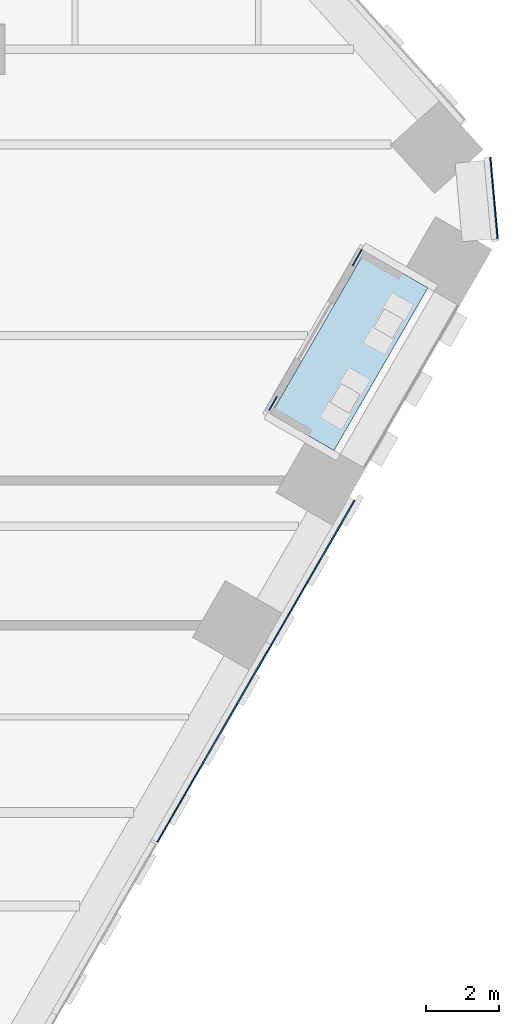
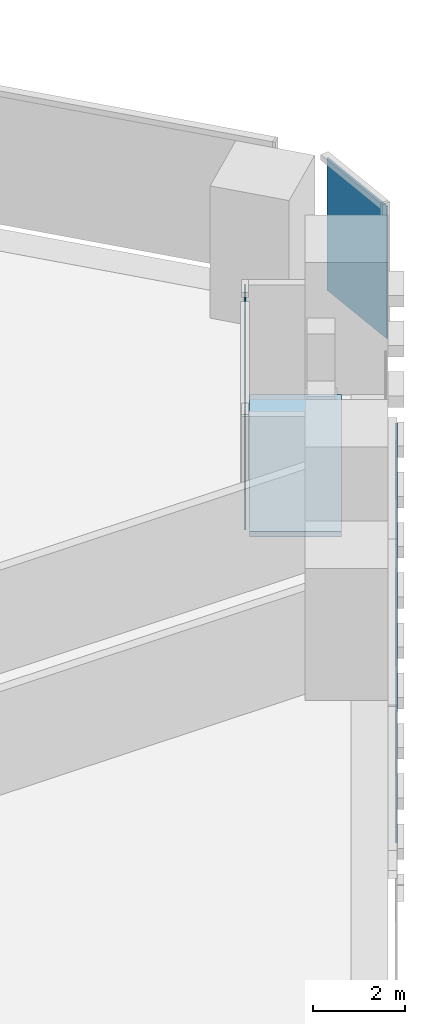
# One storey, part 21 of 31: 5 plates, 1 slab, 3 elements without a shape of their own.
"""IFC4 building model written with IfcOpenShell, lengths in metres."""

from ifc_helpers import new_model, si_unit, direction, frame, origin, origin_2d, place, context, subcontext, project, spatial, polyline, rectangle, outline, extrude, material, layer, layer_set, type_object, element, aggregate, save


model = new_model("IFC4")

# Units and contexts
model_context = context("Model", 3, precision=1e-05, world=origin(), true_north=direction((0.0, 1.0)))
body_context = subcontext(model_context, "Body", "Model", "MODEL_VIEW")
ifc_project = project(units=[si_unit("LENGTHUNIT", "METRE"), si_unit("AREAUNIT", "SQUARE_METRE"), si_unit("VOLUMEUNIT", "CUBIC_METRE"), si_unit("PLANEANGLEUNIT", "RADIAN"), si_unit("MASSUNIT", "GRAM", prefix="KILO")], contexts=[model_context])

# Site, building, storey
site_placement = place(None, origin())
site = spatial("IfcSite", under=ifc_project, at=site_placement, CompositionType="ELEMENT")
building_placement = place(site_placement, origin())
building = spatial("IfcBuilding", under=site, at=building_placement, Name="Isthmus Gate Tower", CompositionType="ELEMENT")
storey_placement = place(building_placement, frame((0.0, 0.0, 39.64990234375)))
storey = spatial("IfcBuildingStorey", under=building, at=storey_placement, Name="L07", CompositionType="ELEMENT", Elevation=39.64990234375)

# Curtain wall, plates
ifc_material_1 = material(Name="Aluminium, pale champagne anodised", Category="aluminium")
ifc_layer_1 = layer(ifc_material_1, 0.199951171875)
ifc_layer_set_1 = layer_set([ifc_layer_1], Name="CW-1 UNITISED CURTAIN WALL 200 DEEP")
curtain_wall_type_1 = type_object("IfcCurtainWallType", Name="CW-1 UNITISED CURTAIN WALL 200 DEEP", PredefinedType="NOTDEFINED", material=ifc_layer_set_1)
curtain_wall_1_placement = place(storey_placement, origin())
curtain_wall_1 = element("IfcCurtainWall", 1, at=curtain_wall_1_placement, inside=storey, type_object=curtain_wall_type_1, Name="CW-1 SE L07", PredefinedType="NOTDEFINED")
ifc_material_2 = material(Name="Laminated low-iron glass, pale blue tint", Category="glass")
ifc_layer_2 = layer(ifc_material_2, 0.0400390625)
ifc_layer_set_2 = layer_set([ifc_layer_2], Name="CW-1 CLEAR GLASS LITE 40")
plate_type_1 = type_object("IfcPlateType", Name="CW-1 CLEAR GLASS LITE 40", PredefinedType="CURTAIN_PANEL", material=ifc_layer_set_2)
plate_1_placement = place(storey_placement, frame((30.4560546875, -11.608642578125, 0.0), z_axis=(0.0, 0.0, 1.0), x_axis=(0.5, 0.866025403784, 0.0)))
plate_1 = element("IfcPlate", 2, at=plate_1_placement, type_object=plate_type_1, Name="CW-1 glass lite", PredefinedType="CURTAIN_PANEL", context=body_context, shape_type="SweptSolid", body=[
    extrude(rectangle(XDim=6.278564453125, YDim=0.0400390625, at=origin_2d()), origin(), (0.0, 0.0, 1.0), 3.5),
])
plate_2_placement = place(storey_placement, frame((33.173828125, -6.901123046875, 0.0), z_axis=(0.0, 0.0, 1.0), x_axis=(0.5, 0.866025403784, 0.0)))
plate_2 = element("IfcPlate", 3, at=plate_2_placement, type_object=plate_type_1, Name="CW-1 glass lite", PredefinedType="CURTAIN_PANEL", context=body_context, shape_type="SweptSolid", body=[
    extrude(rectangle(XDim=4.5927734375, YDim=0.0400390625, at=origin_2d()), origin(), (0.0, 0.0, 1.0), 3.5),
])
aggregate(curtain_wall_1, [plate_1, plate_2])

# Curtain wall, plate
curtain_wall_2_placement = place(storey_placement, origin())
curtain_wall_2 = element("IfcCurtainWall", 4, at=curtain_wall_2_placement, inside=storey, type_object=curtain_wall_type_1, Name="CW-1 SE-NE L07", PredefinedType="NOTDEFINED")
plate_3_placement = place(storey_placement, frame((38.155029296875, 3.403564453125, 0.0), z_axis=(0.0, 0.0, 1.0), x_axis=(-0.089396669717, 0.995996102123, 0.0)))
plate_3 = element("IfcPlate", 5, at=plate_3_placement, type_object=plate_type_1, Name="CW-1 glass lite", PredefinedType="CURTAIN_PANEL", context=body_context, shape_type="SweptSolid", body=[
    extrude(rectangle(XDim=2.258544921875, YDim=0.0400390625, at=origin_2d()), origin(), (0.0, 0.0, 1.0), 3.5),
])
aggregate(curtain_wall_2, [plate_3])

# Curtain wall, plates
ifc_material_3 = material(Name="Aluminium, pale champagne anodised", Category="aluminium")
ifc_layer_3 = layer(ifc_material_3, 0.14990234375)
ifc_layer_set_3 = layer_set([ifc_layer_3], Name="CW-6 LOGGIA BACK WALL GLAZING 150 DEEP")
curtain_wall_type_2 = type_object("IfcCurtainWallType", Name="CW-6 LOGGIA BACK WALL GLAZING 150 DEEP", PredefinedType="NOTDEFINED", material=ifc_layer_set_3)
curtain_wall_3_placement = place(storey_placement, origin())
curtain_wall_3 = element("IfcCurtainWall", 6, at=curtain_wall_3_placement, inside=storey, type_object=curtain_wall_type_2, Name="CW-6 SE L07", PredefinedType="NOTDEFINED")
ifc_material_4 = material(Name="Laminated low-iron glass, clear", Category="glass")
ifc_layer_4 = layer(ifc_material_4, 0.031982421875)
ifc_layer_set_4 = layer_set([ifc_layer_4], Name="CW-6 CLEAR GLASS LITE 32")
plate_type_2 = type_object("IfcPlateType", Name="CW-6 CLEAR GLASS LITE 32", PredefinedType="CURTAIN_PANEL", material=ifc_layer_set_4)
plate_4_placement = place(storey_placement, frame((32.071533203125, -2.25048828125, 0.0), z_axis=(0.0, 0.0, 1.0), x_axis=(0.5, 0.866025403784, 0.0)))
plate_4 = element("IfcPlate", 7, at=plate_4_placement, type_object=plate_type_2, Name="CW-6 glass lite", PredefinedType="CURTAIN_PANEL", context=body_context, shape_type="SweptSolid", body=[
    extrude(rectangle(XDim=0.43994140625, YDim=0.031982421875, at=origin_2d()), origin(), (0.0, 0.0, 1.0), 2.929931640625),
])
plate_5_placement = place(storey_placement, frame((34.391357421875, 1.767333984375, 0.0), z_axis=(0.0, 0.0, 1.0), x_axis=(0.5, 0.866025403784, 0.0)))
plate_5 = element("IfcPlate", 8, at=plate_5_placement, type_object=plate_type_2, Name="CW-6 glass lite", PredefinedType="CURTAIN_PANEL", context=body_context, shape_type="SweptSolid", body=[
    extrude(rectangle(XDim=0.5, YDim=0.031982421875, at=origin_2d()), origin(), (0.0, 0.0, 1.0), 2.929931640625),
])
aggregate(curtain_wall_3, [plate_4, plate_5])

# Slab
ifc_material_5 = material(Name="Concrete f'c 50 MPa", Category="concrete")
ifc_layer_5 = layer(ifc_material_5, 0.14990234375)
ifc_layer_set_5 = layer_set([ifc_layer_5], Name="LOGGIA FLOOR SLAB 150")
slab_type = type_object("IfcSlabType", Name="LOGGIA FLOOR SLAB 150", PredefinedType="FLOOR", material=ifc_layer_set_5)
slab_placement = place(storey_placement, frame((0.0, 0.0, -0.14990234375)))
element("IfcSlab", 9, at=slab_placement, inside=storey, type_object=slab_type, Name="LOGGIA FLOOR", PredefinedType="FLOOR", context=body_context, shape_type="SweptSolid", body=[
    extrude(outline(polyline([(33.750244140625, -3.54296875), (36.3349609375, 0.933837890625), (34.602783203125, 1.933837890625), (32.01806640625, -2.54296875), (33.750244140625, -3.54296875)])), origin(), (0.0, 0.0, 1.0), 0.14990234375),
])

save(model, "model.ifc")
